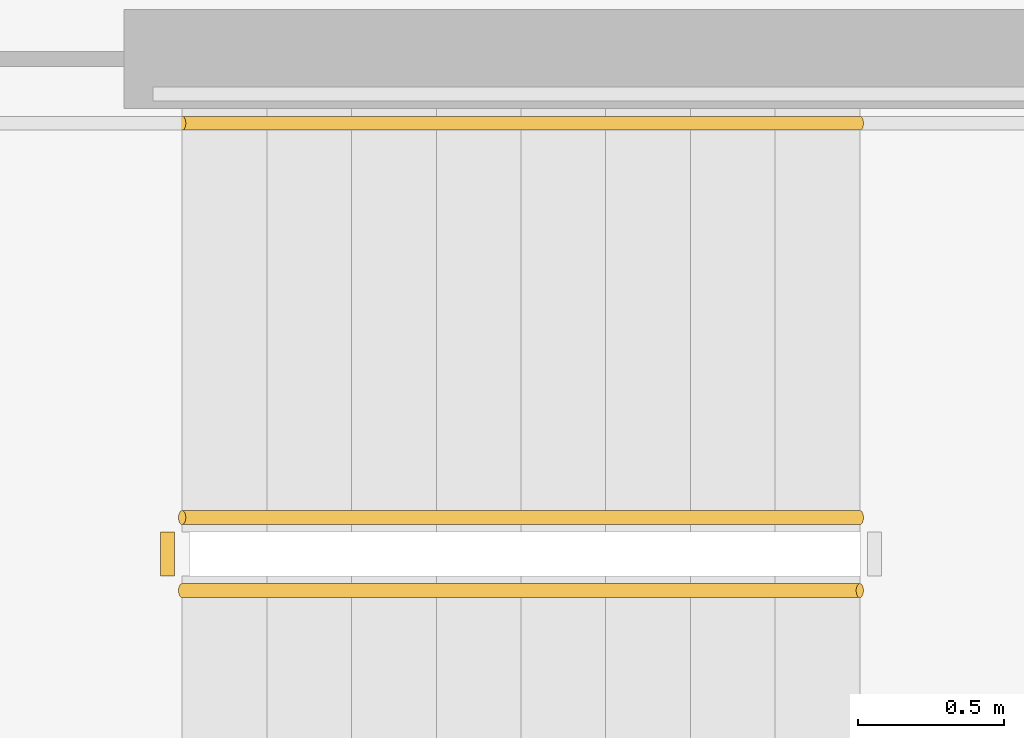
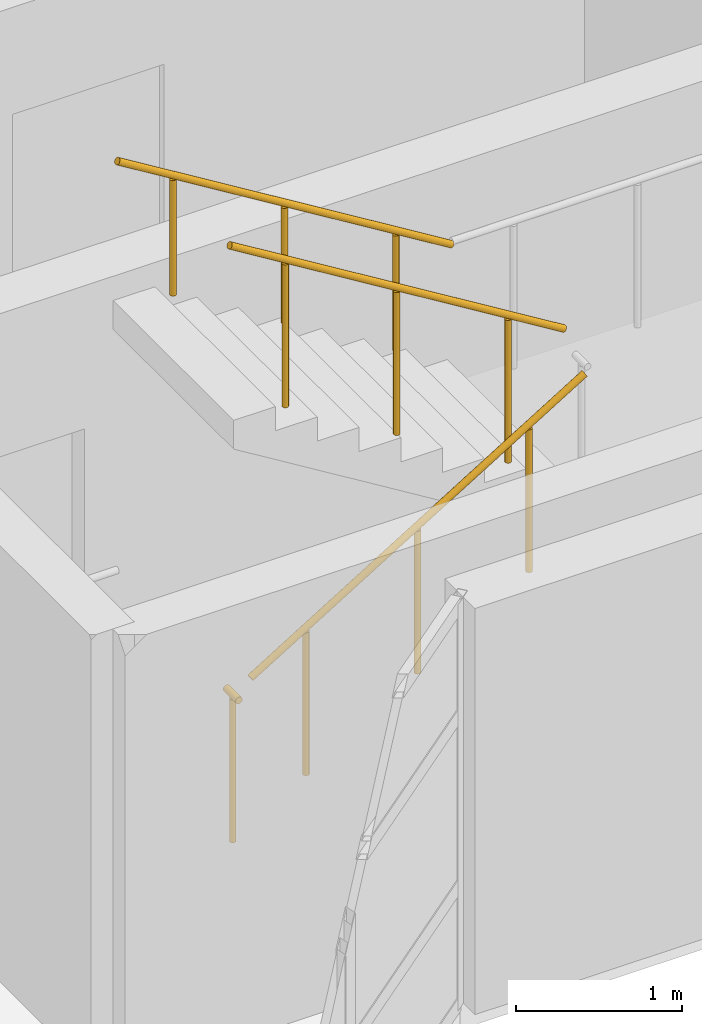
# One storey, part 119 of 128: 4 railings.
"""IFC4 building model written with IfcOpenShell, lengths in metres."""

from ifc_helpers import new_model, si_unit, direction, frame, origin, origin_2d, place, context, subcontext, project, spatial, circle, extrude, material, type_object, element, save


model = new_model("IFC4")

# Units and contexts
model_context = context("Model", 3, precision=1e-05, world=origin(), true_north=direction((0.0, 1.0)))
body_context = subcontext(model_context, "Body", "Model", "MODEL_VIEW")
ifc_project = project(units=[si_unit("LENGTHUNIT", "METRE"), si_unit("AREAUNIT", "SQUARE_METRE"), si_unit("VOLUMEUNIT", "CUBIC_METRE"), si_unit("PLANEANGLEUNIT", "RADIAN"), si_unit("MASSUNIT", "GRAM", prefix="KILO")], contexts=[model_context])

# Site, building, storey
site_placement = place(None, origin())
site = spatial("IfcSite", under=ifc_project, at=site_placement, CompositionType="ELEMENT")
building_placement = place(site_placement, origin())
building = spatial("IfcBuilding", under=site, at=building_placement, Name="Keldmere Railside Commons", CompositionType="ELEMENT")
storey_placement = place(building_placement, frame((0.0, 0.0, 4.159912109375)))
storey = spatial("IfcBuildingStorey", under=building, at=storey_placement, Name="L01", CompositionType="ELEMENT", Elevation=4.159912109375)

# Railings
ifc_material = material(Name="Steel F-24 (S235)", Category="steel")
railing_type_1 = type_object("IfcRailingType", Name="Stair Well Steel Guardrail 1100", PredefinedType="BALUSTRADE", material=ifc_material)
railing_1_placement = place(storey_placement, frame((131.699951171875, 102.0, 0.177978515625)))
element("IfcRailing", 1, at=railing_1_placement, inside=storey, type_object=railing_type_1, Name="L01 ST-B2 stair guard 1", PredefinedType="BALUSTRADE", context=body_context, shape_type="SweptSolid", body=[
    extrude(circle(Radius=0.02392578125, at=origin_2d()), frame((0.0, 0.0, 1.076171875), z_axis=(0.852578041948, 0.0, 0.522599925744), x_axis=(0.0, 1.0, 0.0)), (0.0, 0.0, 1.0), 2.72119140625),
    extrude(circle(Radius=0.02099609375, at=origin_2d()), frame((0.38671875, 0.0, 0.237060546875)), (0.0, 0.0, 1.0), 1.048095703125),
    extrude(circle(Radius=0.02099609375, at=origin_2d()), frame((1.16015625, 0.0, 0.7109375)), (0.0, 0.0, 1.0), 1.048095703125),
    extrude(circle(Radius=0.02099609375, at=origin_2d()), frame((1.933349609375, 0.0, 1.18505859375)), (0.0, 0.0, 1.0), 1.048095703125),
])
railing_2_placement = place(storey_placement, frame((134.02001953125, 102.25, 1.77783203125)))
element("IfcRailing", 2, at=railing_2_placement, inside=storey, type_object=railing_type_1, Name="L01 ST-B2 stair guard 6", PredefinedType="BALUSTRADE", context=body_context, shape_type="SweptSolid", body=[
    extrude(circle(Radius=0.02392578125, at=origin_2d()), frame((0.0, 0.0, 1.076171875), z_axis=(-0.852538067394, 0.0, 0.522665135287), x_axis=(0.0, -1.0, 0.0)), (0.0, 0.0, 1.0), 2.721435546875),
    extrude(circle(Radius=0.02099609375, at=origin_2d()), frame((-0.38671875, 0.0, 0.237060546875)), (0.0, 0.0, 1.0), 1.048095703125),
    extrude(circle(Radius=0.02099609375, at=origin_2d()), frame((-1.16015625, 0.0, 0.711181640625)), (0.0, 0.0, 1.0), 1.048095703125),
    extrude(circle(Radius=0.02099609375, at=origin_2d()), frame((-1.933349609375, 0.0, 1.185302734375)), (0.0, 0.0, 1.0), 1.048095703125),
])
railing_3_placement = place(storey_placement, frame((131.64990234375, 102.050048828125, 0.0)))
element("IfcRailing", 3, at=railing_3_placement, inside=storey, type_object=railing_type_1, Name="L01 ST-B2 stair guard 7", PredefinedType="BALUSTRADE", context=body_context, shape_type="SweptSolid", body=[
    extrude(circle(Radius=0.02392578125, at=origin_2d()), frame((0.0, 0.0, 1.076171875), z_axis=(0.0, 1.0, 0.0), x_axis=(-1.0, 0.0, 0.0)), (0.0, 0.0, 1.0), 0.14990234375),
    extrude(circle(Radius=0.02099609375, at=origin_2d()), frame((0.0, 0.074951171875, 0.0)), (0.0, 0.0, 1.0), 1.048095703125),
])
railing_type_2 = type_object("IfcRailingType", Name="Wall-Mounted Tubular Steel Handrail 900", PredefinedType="HANDRAIL", material=ifc_material)
railing_4_placement = place(storey_placement, frame((134.02001953125, 103.60009765625, 1.77783203125)))
element("IfcRailing", 4, at=railing_4_placement, inside=storey, type_object=railing_type_2, Name="L01 ST-B2 stair handrail 2", PredefinedType="HANDRAIL", context=body_context, shape_type="SweptSolid", body=[
    extrude(circle(Radius=0.02392578125, at=origin_2d()), frame((0.0, 0.0, 0.8759765625), z_axis=(-0.852538067394, 0.0, 0.522665135287), x_axis=(0.0, -1.0, 0.0)), (0.0, 0.0, 1.0), 2.721435546875),
    extrude(circle(Radius=0.02099609375, at=origin_2d()), frame((-0.38671875, 0.0, 0.237060546875)), (0.0, 0.0, 1.0), 0.847900390625),
    extrude(circle(Radius=0.02099609375, at=origin_2d()), frame((-1.16015625, 0.0, 0.711181640625)), (0.0, 0.0, 1.0), 0.847900390625),
    extrude(circle(Radius=0.02099609375, at=origin_2d()), frame((-1.933349609375, 0.0, 1.185302734375)), (0.0, 0.0, 1.0), 0.847900390625),
])

save(model, "model.ifc")
